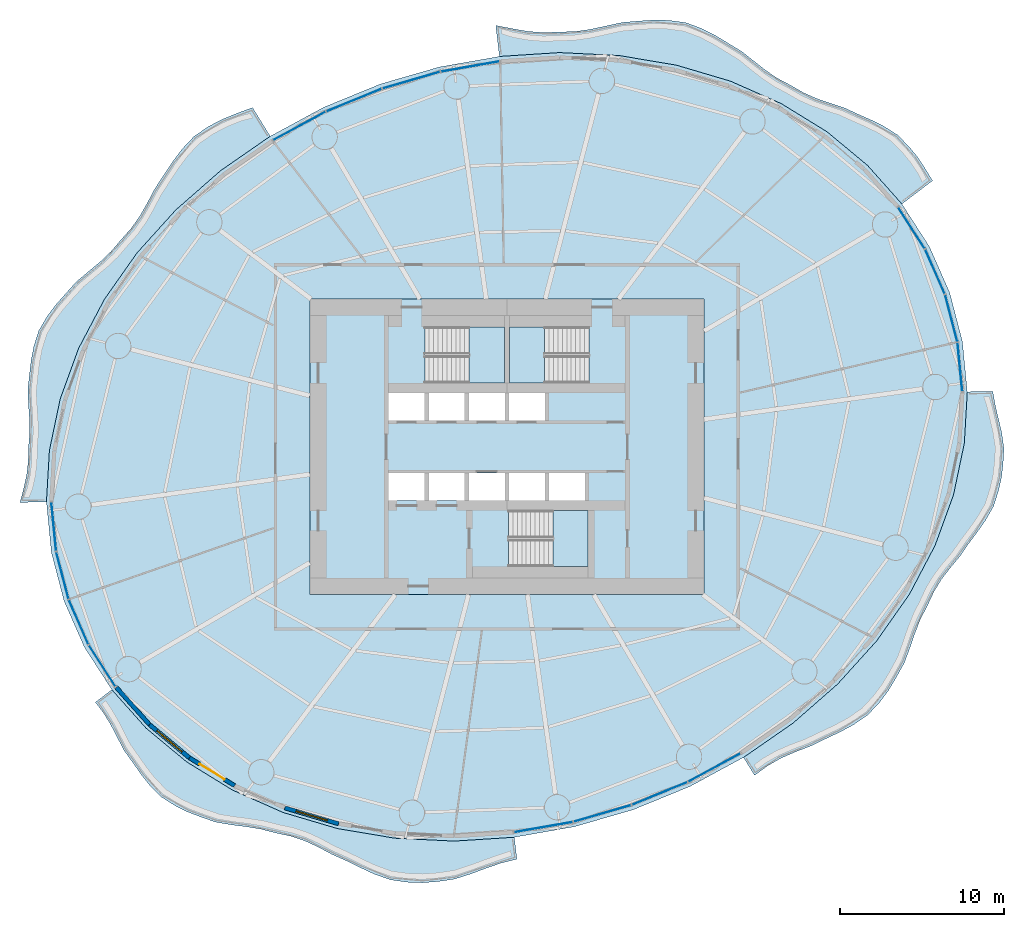
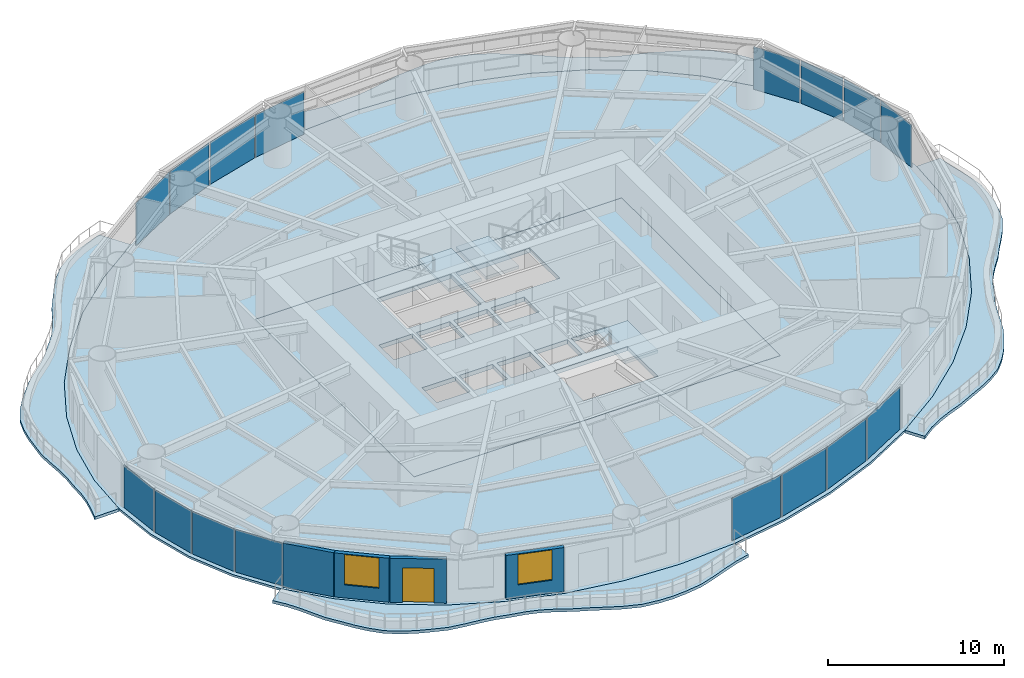
# One storey, part 7 of 16: 16 plates, 9 slabs, 4 walls, 2 windows, 1 door, 3 openings, 19 elements without a shape of their own.
"""IFC4 building model written with IfcOpenShell, lengths in metres."""

from ifc_helpers import new_model, si_unit, direction, frame, frame_2d, origin, origin_2d, place, context, subcontext, project, spatial, polyline, rectangle, outline, extrude, material, layer, layer_set, type_object, element, fill, aggregate, save


model = new_model("IFC4")

# Units and contexts
model_context = context("Model", 3, precision=1e-05, world=origin(), true_north=direction((0.0, 1.0)))
body_context = subcontext(model_context, "Body", "Model", "MODEL_VIEW")
ifc_project = project(units=[si_unit("LENGTHUNIT", "METRE"), si_unit("AREAUNIT", "SQUARE_METRE"), si_unit("VOLUMEUNIT", "CUBIC_METRE"), si_unit("PLANEANGLEUNIT", "RADIAN"), si_unit("MASSUNIT", "GRAM", prefix="KILO")], contexts=[model_context])

# Site, building, storey
site_placement = place(None, origin())
site = spatial("IfcSite", under=ifc_project, at=site_placement, CompositionType="ELEMENT")
building_placement = place(site_placement, origin())
building = spatial("IfcBuilding", under=site, at=building_placement, Name="Vermilion Reach Broadcast Tower", CompositionType="ELEMENT")
storey_placement = place(building_placement, frame((0.0, 0.0, 110.199951171875)))
storey = spatial("IfcBuildingStorey", under=building, at=storey_placement, Name="L25", CompositionType="ELEMENT", Elevation=110.199951171875)

# Slabs
ifc_material_1 = material(Name="Concrete C40/50", Category="concrete")
ifc_layer_1 = layer(ifc_material_1, 0.199951171875)
ifc_layer_set_1 = layer_set([ifc_layer_1], Name="Balcony slab 200")
slab_type_1 = type_object("IfcSlabType", Name="Balcony slab 200", PredefinedType="FLOOR", material=ifc_layer_set_1)
placement_1 = place(storey_placement, frame((0.0, 0.0, -0.199951171875)))
element("IfcSlab", 1, at=placement_1, inside=storey, type_object=slab_type_1, Name="Balcony slab L25 group 1", PredefinedType="FLOOR", context=body_context, shape_type="SweptSolid", body=[
    extrude(outline(polyline([(18.06396484375, 14.794921875), (15.97607421875, 17.137939453125), (13.512451171875, 19.187744140625), (10.71484375, 20.9091796875), (7.63134765625, 22.27294921875), (4.314453125, 23.25537109375), (0.8212890625, 23.840087890625), (-2.788818359375, 24.01708984375), (-6.45361328125, 23.782958984375), (-6.67919921875, 25.67431640625), (-5.6416015625, 25.471435546875), (-4.71142578125, 25.31201171875), (-3.78662109375, 25.2373046875), (-2.798095703125, 25.2724609375), (-1.821044921875, 25.30517578125), (-0.909912109375, 25.435546875), (0.00439453125, 25.6337890625), (1.03857421875, 25.8564453125), (2.0712890625, 25.94384765625), (2.978759765625, 26.0029296875), (3.873291015625, 25.9833984375), (4.911376953125, 25.840087890625), (5.8759765625, 25.4814453125), (6.66015625, 25.083984375), (7.425537109375, 24.623046875), (8.300537109375, 24.093994140625), (9.083984375, 23.473388671875), (9.767822265625, 22.935546875), (10.4775390625, 22.456298828125), (11.298828125, 22.02001953125), (12.08349609375, 21.56640625), (12.840576171875, 21.229736328125), (13.63525390625, 20.954345703125), (14.564453125, 20.652587890625), (15.4345703125, 20.2451171875), (16.198974609375, 19.9111328125), (16.938232421875, 19.546875), (17.78662109375, 19.0107421875), (18.47607421875, 18.314453125), (18.97607421875, 17.709228515625), (19.41796875, 17.05224609375), (19.931640625, 16.21630859375), (18.06396484375, 14.794921875)])), origin(), (0.0, 0.0, 1.0), 0.199951171875),
])
element("IfcSlab", 2, at=placement_1, inside=storey, type_object=slab_type_1, Name="Balcony slab L25 group 2", PredefinedType="FLOOR", context=body_context, shape_type="SweptSolid", body=[
    extrude(outline(polyline([(-20.417236328125, 18.920166015625), (-23.434814453125, 16.827392578125), (-26.154052734375, 14.4462890625), (-28.528564453125, 11.818359375), (-30.517578125, 8.988037109375), (-32.0869140625, 6.00390625), (-33.210205078125, 2.917236328125), (-33.86767578125, -0.2197265625), (-34.048583984375, -3.3525390625), (-35.6591796875, -3.38427734375), (-35.42236328125, -2.487548828125), (-35.25390625, -1.71142578125), (-35.1611328125, -0.930908203125), (-35.143798828125, -0.050048828125), (-35.0712890625, 0.851318359375), (-35.083740234375, 1.672607421875), (-35.14013671875, 2.503173828125), (-35.18408203125, 3.47998046875), (-35.075927734375, 4.469970703125), (-34.97802734375, 5.30810546875), (-34.816650390625, 6.123291015625), (-34.515869140625, 7.07861328125), (-33.998046875, 7.96142578125), (-33.486572265625, 8.644775390625), (-32.913818359375, 9.2958984375), (-32.243408203125, 10.042236328125), (-31.45751953125, 10.70556640625), (-30.7685546875, 11.278564453125), (-30.12890625, 11.885986328125), (-29.51416015625, 12.605224609375), (-28.875732421875, 13.325439453125), (-28.363525390625, 14.055908203125), (-27.9140625, 14.843017578125), (-27.434326171875, 15.746826171875), (-26.854736328125, 16.618408203125), (-26.3408203125, 17.403076171875), (-25.78662109375, 18.141845703125), (-25.06103515625, 18.910888671875), (-24.180908203125, 19.513916015625), (-23.361328125, 19.943115234375), (-22.490478515625, 20.298583984375), (-21.494140625, 20.6708984375), (-20.417236328125, 18.920166015625)])), origin(), (0.0, 0.0, 1.0), 0.199951171875),
])
element("IfcSlab", 3, at=placement_1, inside=storey, type_object=slab_type_1, Name="Balcony slab L25 group 3", PredefinedType="FLOOR", context=body_context, shape_type="SweptSolid", body=[
    extrude(outline(polyline([(-30.06396484375, -14.794921875), (-27.97607421875, -17.137939453125), (-25.512451171875, -19.187744140625), (-22.71484375, -20.9091796875), (-19.63134765625, -22.27294921875), (-16.314453125, -23.25537109375), (-12.8212890625, -23.840087890625), (-9.211181640625, -24.01708984375), (-5.54638671875, -23.782958984375), (-5.387451171875, -25.115966796875), (-6.365478515625, -25.361572265625), (-7.265625, -25.669677734375), (-8.164306640625, -26.005859375), (-9.194091796875, -26.334228515625), (-10.23681640625, -26.485107421875), (-11.14501953125, -26.555908203125), (-12.0478515625, -26.5224609375), (-13.0947265625, -26.375732421875), (-14.084716796875, -26.025146484375), (-14.91796875, -25.63916015625), (-15.746826171875, -25.228271484375), (-16.6748046875, -24.8154296875), (-17.541259765625, -24.35205078125), (-18.336181640625, -23.990478515625), (-19.157958984375, -23.7197265625), (-20.089111328125, -23.5185546875), (-21.00048828125, -23.284912109375), (-21.859619140625, -23.14306640625), (-22.732177734375, -23.0322265625), (-23.7412109375, -22.861328125), (-24.67919921875, -22.534423828125), (-25.459716796875, -22.235595703125), (-26.19873046875, -21.869873046875), (-27.051513671875, -21.330810546875), (-27.75048828125, -20.625), (-28.260009765625, -19.984619140625), (-28.737060546875, -19.30517578125), (-29.307861328125, -18.515625), (-29.751220703125, -17.668701171875), (-30.123291015625, -16.949462890625), (-30.5361328125, -16.2666015625), (-31.0673828125, -15.55859375), (-30.06396484375, -14.794921875)])), origin(), (0.0, 0.0, 1.0), 0.199951171875),
])
element("IfcSlab", 4, at=placement_1, inside=storey, type_object=slab_type_1, Name="Balcony slab L25 group 4", PredefinedType="FLOOR", context=body_context, shape_type="SweptSolid", body=[
    extrude(outline(polyline([(8.417236328125, -18.920166015625), (11.434814453125, -16.827392578125), (14.154052734375, -14.4462890625), (16.528564453125, -11.818359375), (18.517578125, -8.988037109375), (20.0869140625, -6.00390625), (21.210205078125, -2.917236328125), (21.86767578125, 0.2197265625), (22.048583984375, 3.3525390625), (23.600830078125, 3.383056640625), (23.76416015625, 2.4677734375), (23.955810546875, 1.6708984375), (24.1416015625, 0.874267578125), (24.2841796875, -0.1015625), (24.224609375, -1.093017578125), (24.128173828125, -1.8916015625), (23.94921875, -2.672607421875), (23.652587890625, -3.61376953125), (23.14794921875, -4.49609375), (22.65576171875, -5.19091796875), (22.1416015625, -5.877685546875), (21.5966796875, -6.671875), (20.969482421875, -7.42041015625), (20.45458984375, -8.10205078125), (20.016357421875, -8.823974609375), (19.622314453125, -9.662841796875), (19.187255859375, -10.515625), (18.860107421875, -11.3427734375), (18.5693359375, -12.195556640625), (18.21044921875, -13.160888671875), (17.70556640625, -14.0751953125), (17.2412109375, -14.848876953125), (16.7099609375, -15.562255859375), (15.999755859375, -16.321044921875), (15.124267578125, -16.92626953125), (14.308349609375, -17.365966796875), (13.457275390625, -17.765625), (12.5224609375, -18.220703125), (11.54443359375, -18.596435546875), (10.6875, -18.971923828125), (9.885986328125, -19.427001953125), (9.08935546875, -20.012939453125), (8.417236328125, -18.920166015625)])), origin(), (0.0, 0.0, 1.0), 0.199951171875),
])
ifc_material_2 = material(Name="Concrete C40", Category="concrete")
ifc_layer_2 = layer(ifc_material_2, 0.300048828125)
ifc_layer_set_2 = layer_set([ifc_layer_2], Name="Core floor slab 300 mm Concrete C40")
slab_type_2 = type_object("IfcSlabType", Name="Core floor slab 300 mm Concrete C40", PredefinedType="FLOOR", material=ifc_layer_set_2)
slab_5_placement = place(storey_placement, frame((0.0, 0.0, -0.300048828125)))
element("IfcSlab", 5, at=slab_5_placement, inside=storey, type_object=slab_type_2, Name="L25 core floor", PredefinedType="FLOOR", context=body_context, shape_type="SweptSolid", body=[
    extrude(outline(polyline([(-18.0, -9.0), (6.0, -9.0), (6.0, 9.0), (-18.0, 9.0), (-18.0, -9.0)]), holes=[polyline([(-13.199951171875, 1.60009765625), (-11.00830078125, 1.60009765625), (-11.00830078125, 3.280029296875), (-13.199951171875, 3.280029296875), (-13.199951171875, 1.60009765625)]), polyline([(-10.75830078125, 1.60009765625), (-8.566650390625, 1.60009765625), (-8.566650390625, 3.280029296875), (-10.75830078125, 3.280029296875), (-10.75830078125, 1.60009765625)]), polyline([(-8.316650390625, 1.60009765625), (-6.125, 1.60009765625), (-6.125, 3.280029296875), (-8.316650390625, 3.280029296875), (-8.316650390625, 1.60009765625)]), polyline([(-5.875, 1.60009765625), (-3.683349609375, 1.60009765625), (-3.683349609375, 3.280029296875), (-5.875, 3.280029296875), (-5.875, 1.60009765625)]), polyline([(-13.199951171875, -3.280029296875), (-11.00830078125, -3.280029296875), (-11.00830078125, -1.60009765625), (-13.199951171875, -1.60009765625), (-13.199951171875, -3.280029296875)]), polyline([(-10.75830078125, -3.280029296875), (-8.566650390625, -3.280029296875), (-8.566650390625, -1.60009765625), (-10.75830078125, -1.60009765625), (-10.75830078125, -3.280029296875)]), polyline([(-8.316650390625, -3.280029296875), (-6.125, -3.280029296875), (-6.125, -1.60009765625), (-8.316650390625, -1.60009765625), (-8.316650390625, -3.280029296875)]), polyline([(-5.875, -3.280029296875), (-3.683349609375, -3.280029296875), (-3.683349609375, -1.60009765625), (-5.875, -1.60009765625), (-5.875, -3.280029296875)]), polyline([(-3.433349609375, -3.280029296875), (-1.24169921875, -3.280029296875), (-1.24169921875, -1.60009765625), (-3.433349609375, -1.60009765625), (-3.433349609375, -3.280029296875)]), polyline([(-10.999267578125, 3.8798828125), (-6.14990234375, 3.8798828125), (-6.14990234375, 7.300048828125), (-10.999267578125, 7.300048828125), (-10.999267578125, 3.8798828125)]), polyline([(-1.000732421875, 7.300048828125), (-5.85009765625, 7.300048828125), (-5.85009765625, 3.8798828125), (-1.000732421875, 3.8798828125), (-1.000732421875, 7.300048828125)]), polyline([(-5.8994140625, -7.300048828125), (-1.050048828125, -7.300048828125), (-1.050048828125, -3.8798828125), (-5.8994140625, -3.8798828125), (-5.8994140625, -7.300048828125)])]), origin(), (0.0, 0.0, 1.0), 0.300048828125),
])

# Stair, slab
ifc_material_3 = material(Name="Concrete C40", Category="concrete")
stair_type = type_object("IfcStairType", Name="Exit stair RC 22 risers 164 mm", PredefinedType="HALF_TURN_STAIR", material=ifc_material_3)
placement_2 = place(storey_placement, origin())
stair_1 = element("IfcStair", 6, at=placement_2, inside=storey, type_object=stair_type, Name="L25 Exit stair ST1", PredefinedType="HALF_TURN_STAIR")
ifc_material_4 = material(Name="Concrete C40", Category="concrete")
ifc_layer_3 = layer(ifc_material_4, 0.199951171875)
ifc_layer_set_3 = layer_set([ifc_layer_3], Name="Exit stair landing Concrete C40")
slab_type_3 = type_object("IfcSlabType", Name="Exit stair landing Concrete C40", PredefinedType="LANDING", material=ifc_layer_set_3)
placement_3 = place(storey_placement, frame((0.0, 0.0, 1.60009765625)))
slab_6 = element("IfcSlab", 7, at=placement_3, type_object=slab_type_3, Name="ST1 landing 1", PredefinedType="LANDING", context=body_context, shape_type="SweptSolid", body=[
    extrude(outline(polyline([(-8.300048828125, 3.8798828125), (-6.14990234375, 3.8798828125), (-6.14990234375, 7.300048828125), (-8.300048828125, 7.300048828125), (-8.300048828125, 3.8798828125)])), origin(), (0.0, 0.0, 1.0), 0.199951171875),
])
aggregate(stair_1, [slab_6])

stair_2 = element("IfcStair", 8, at=placement_2, inside=storey, type_object=stair_type, Name="L25 Exit stair ST2", PredefinedType="HALF_TURN_STAIR")
slab_7 = element("IfcSlab", 9, at=placement_3, type_object=slab_type_3, Name="ST2 landing 1", PredefinedType="LANDING", context=body_context, shape_type="SweptSolid", body=[
    extrude(outline(polyline([(-3.699951171875, 7.300048828125), (-5.85009765625, 7.300048828125), (-5.85009765625, 3.8798828125), (-3.699951171875, 3.8798828125), (-3.699951171875, 7.300048828125)])), origin(), (0.0, 0.0, 1.0), 0.199951171875),
])
aggregate(stair_2, [slab_7])

stair_3 = element("IfcStair", 10, at=placement_2, inside=storey, type_object=stair_type, Name="L25 Exit stair ST3", PredefinedType="HALF_TURN_STAIR")
slab_8 = element("IfcSlab", 11, at=placement_3, type_object=slab_type_3, Name="ST3 landing 1", PredefinedType="LANDING", context=body_context, shape_type="SweptSolid", body=[
    extrude(outline(polyline([(-3.199951171875, -7.300048828125), (-1.050048828125, -7.300048828125), (-1.050048828125, -3.8798828125), (-3.199951171875, -3.8798828125), (-3.199951171875, -7.300048828125)])), origin(), (0.0, 0.0, 1.0), 0.199951171875),
])
aggregate(stair_3, [slab_8])

# Slab
ifc_material_5 = material(Name="Concrete C40", Category="concrete")
ifc_layer_4 = layer(ifc_material_5, 0.14990234375)
ifc_layer_set_4 = layer_set([ifc_layer_4], Name="Floor slab Concrete C40 composite 150")
slab_type_4 = type_object("IfcSlabType", Name="Floor slab Concrete C40 composite 150", PredefinedType="FLOOR", material=ifc_layer_set_4)
slab_9_placement = place(storey_placement, frame((0.0, 0.0, -0.14990234375)))
element("IfcSlab", 12, at=slab_9_placement, inside=storey, type_object=slab_type_4, Name="Floor slab L25", PredefinedType="FLOOR", context=body_context, shape_type="SweptSolid", body=[
    extrude(outline(polyline([(20.975341796875, 9.393798828125), (19.73974609375, 12.19873046875), (18.06396484375, 14.794921875), (15.97607421875, 17.137939453125), (13.512451171875, 19.187744140625), (10.71484375, 20.9091796875), (7.63134765625, 22.27294921875), (4.314453125, 23.25537109375), (0.8212890625, 23.840087890625), (-2.788818359375, 24.01708984375), (-6.45361328125, 23.782958984375), (-10.11083984375, 23.141845703125), (-13.69775390625, 22.104736328125), (-17.15283203125, 20.689453125), (-20.417236328125, 18.920166015625), (-23.434814453125, 16.827392578125), (-26.154052734375, 14.4462890625), (-28.528564453125, 11.818359375), (-30.517578125, 8.988037109375), (-32.0869140625, 6.00390625), (-33.210205078125, 2.917236328125), (-33.86767578125, -0.2197265625), (-34.048583984375, -3.3525390625), (-33.749267578125, -6.42822265625), (-32.975341796875, -9.393798828125), (-31.73974609375, -12.19873046875), (-30.06396484375, -14.794921875), (-27.97607421875, -17.137939453125), (-25.512451171875, -19.187744140625), (-22.71484375, -20.9091796875), (-19.63134765625, -22.27294921875), (-16.314453125, -23.25537109375), (-12.8212890625, -23.840087890625), (-9.211181640625, -24.01708984375), (-5.54638671875, -23.782958984375), (-1.88916015625, -23.141845703125), (1.69775390625, -22.104736328125), (5.15283203125, -20.689453125), (8.417236328125, -18.920166015625), (11.434814453125, -16.827392578125), (14.154052734375, -14.4462890625), (16.528564453125, -11.818359375), (18.517578125, -8.988037109375), (20.0869140625, -6.00390625), (21.210205078125, -2.917236328125), (21.86767578125, 0.2197265625), (22.048583984375, 3.3525390625), (21.749267578125, 6.42822265625), (20.975341796875, 9.393798828125)]), holes=[polyline([(-18.0, -9.0), (6.0, -9.0), (6.0, 9.0), (-18.0, 9.0), (-18.0, -9.0)])]), origin(), (0.0, 0.0, 1.0), 0.14990234375),
])

# Curtain wall, plate
ifc_material_6 = material(Name="Low-e laminated clear glass in aluminium frame", Category="aluminium")
curtain_wall_type = type_object("IfcCurtainWallType", Name="Slot curtain wall", PredefinedType="NOTDEFINED", material=ifc_material_6)
curtain_wall_1 = element("IfcCurtainWall", 13, at=placement_2, inside=storey, type_object=curtain_wall_type, Name="Slot curtain wall L25 46", PredefinedType="NOTDEFINED")
ifc_material_7 = material(Name="Low-e laminated clear glass", Category="glass")
ifc_layer_5 = layer(ifc_material_7, 0.028076171875)
ifc_layer_set_5 = layer_set([ifc_layer_5], Name="Slot glass panel")
plate_type = type_object("IfcPlateType", Name="Slot glass panel", PredefinedType="CURTAIN_PANEL", material=ifc_layer_set_5)
plate_1_placement = place(storey_placement, frame((21.601318359375, 4.861328125, 0.0), z_axis=(0.0, 0.0, 1.0), x_axis=(-0.096809495476, 0.995302929557, 0.0)))
plate_1 = element("IfcPlate", 14, at=plate_1_placement, type_object=plate_type, Name="Slot glass panel L25 46", PredefinedType="CURTAIN_PANEL", context=body_context, shape_type="SweptSolid", body=[
    extrude(rectangle(XDim=2.963134765625, YDim=0.028076171875, at=origin_2d()), origin(), (0.0, 0.0, 1.0), 2.949951171875),
])
aggregate(curtain_wall_1, [plate_1])

curtain_wall_2 = element("IfcCurtainWall", 15, at=placement_2, inside=storey, type_object=curtain_wall_type, Name="Slot curtain wall L25 47", PredefinedType="NOTDEFINED")
plate_2_placement = place(storey_placement, frame((21.072998046875, 7.83544921875, 0.0), z_axis=(0.0, 0.0, 1.0), x_axis=(-0.252521614581, 0.967591253665, 0.0)))
plate_2 = element("IfcPlate", 16, at=plate_2_placement, type_object=plate_type, Name="Slot glass panel L25 47", PredefinedType="CURTAIN_PANEL", context=body_context, shape_type="SweptSolid", body=[
    extrude(rectangle(XDim=2.937255859375, YDim=0.028076171875, at=origin_2d()), origin(), (0.0, 0.0, 1.0), 2.949951171875),
])
aggregate(curtain_wall_2, [plate_2])

curtain_wall_3 = element("IfcCurtainWall", 17, at=placement_2, inside=storey, type_object=curtain_wall_type, Name="Slot curtain wall L25 00", PredefinedType="NOTDEFINED")
plate_3_placement = place(storey_placement, frame((20.083984375, 10.67578125, 0.0), z_axis=(0.0, 0.0, 1.0), x_axis=(-0.403117538268, 0.915148212226, 0.0)))
plate_3 = element("IfcPlate", 18, at=plate_3_placement, type_object=plate_type, Name="Slot glass panel L25 00", PredefinedType="CURTAIN_PANEL", context=body_context, shape_type="SweptSolid", body=[
    extrude(rectangle(XDim=2.937255859375, YDim=0.028076171875, at=origin_2d()), origin(), (0.0, 0.0, 1.0), 2.949951171875),
])
aggregate(curtain_wall_3, [plate_3])

curtain_wall_4 = element("IfcCurtainWall", 19, at=placement_2, inside=storey, type_object=curtain_wall_type, Name="Slot curtain wall L25 01", PredefinedType="NOTDEFINED")
plate_4_placement = place(storey_placement, frame((18.650390625, 13.334716796875, 0.0), z_axis=(0.0, 0.0, 1.0), x_axis=(-0.542361332382, 0.840145335723, 0.0)))
plate_4 = element("IfcPlate", 20, at=plate_4_placement, type_object=plate_type, Name="Slot glass panel L25 01", PredefinedType="CURTAIN_PANEL", context=body_context, shape_type="SweptSolid", body=[
    extrude(rectangle(XDim=2.963134765625, YDim=0.028076171875, at=origin_2d()), origin(), (0.0, 0.0, 1.0), 2.949951171875),
])
aggregate(curtain_wall_4, [plate_4])

curtain_wall_5 = element("IfcCurtainWall", 21, at=placement_2, inside=storey, type_object=curtain_wall_type, Name="Slot curtain wall L25 10", PredefinedType="NOTDEFINED")
plate_5_placement = place(storey_placement, frame((-8.230712890625, 23.167236328125, 0.0), z_axis=(0.0, 0.0, 1.0), x_axis=(-0.984981669189, -0.172658945209, 0.0)))
plate_5 = element("IfcPlate", 22, at=plate_5_placement, type_object=plate_type, Name="Slot glass panel L25 10", PredefinedType="CURTAIN_PANEL", context=body_context, shape_type="SweptSolid", body=[
    extrude(rectangle(XDim=3.600341796875, YDim=0.028076171875, at=origin_2d()), origin(), (0.0, 0.0, 1.0), 2.949951171875),
])
aggregate(curtain_wall_5, [plate_5])

curtain_wall_6 = element("IfcCurtainWall", 23, at=placement_2, inside=storey, type_object=curtain_wall_type, Name="Slot curtain wall L25 11", PredefinedType="NOTDEFINED")
plate_6_placement = place(storey_placement, frame((-11.821044921875, 22.33544921875, 0.0), z_axis=(0.0, 0.0, 1.0), x_axis=(-0.9606547598, -0.27774526544, 0.0)))
plate_6 = element("IfcPlate", 24, at=plate_6_placement, type_object=plate_type, Name="Slot glass panel L25 11", PredefinedType="CURTAIN_PANEL", context=body_context, shape_type="SweptSolid", body=[
    extrude(rectangle(XDim=3.62158203125, YDim=0.028076171875, at=origin_2d()), origin(), (0.0, 0.0, 1.0), 2.949951171875),
])
aggregate(curtain_wall_6, [plate_6])

curtain_wall_7 = element("IfcCurtainWall", 25, at=placement_2, inside=storey, type_object=curtain_wall_type, Name="Slot curtain wall L25 12", PredefinedType="NOTDEFINED")
plate_7_placement = place(storey_placement, frame((-15.311767578125, 21.119873046875, 0.0), z_axis=(0.0, 0.0, 1.0), x_axis=(-0.92537970825, -0.379041416679, 0.0)))
plate_7 = element("IfcPlate", 26, at=plate_7_placement, type_object=plate_type, Name="Slot glass panel L25 12", PredefinedType="CURTAIN_PANEL", context=body_context, shape_type="SweptSolid", body=[
    extrude(rectangle(XDim=3.62158203125, YDim=0.028076171875, at=origin_2d()), origin(), (0.0, 0.0, 1.0), 2.949951171875),
])
aggregate(curtain_wall_7, [plate_7])

curtain_wall_8 = element("IfcCurtainWall", 27, at=placement_2, inside=storey, type_object=curtain_wall_type, Name="Slot curtain wall L25 13", PredefinedType="NOTDEFINED")
plate_8_placement = place(storey_placement, frame((-18.64208984375, 19.54150390625, 0.0), z_axis=(0.0, 0.0, 1.0), x_axis=(-0.879170418367, -0.476507476823, 0.0)))
plate_8 = element("IfcPlate", 28, at=plate_8_placement, type_object=plate_type, Name="Slot glass panel L25 13", PredefinedType="CURTAIN_PANEL", context=body_context, shape_type="SweptSolid", body=[
    extrude(rectangle(XDim=3.600341796875, YDim=0.028076171875, at=origin_2d()), origin(), (0.0, 0.0, 1.0), 2.949951171875),
])
aggregate(curtain_wall_8, [plate_8])

curtain_wall_9 = element("IfcCurtainWall", 29, at=placement_2, inside=storey, type_object=curtain_wall_type, Name="Slot curtain wall L25 22", PredefinedType="NOTDEFINED")
plate_9_placement = place(storey_placement, frame((-33.601318359375, -4.861328125, 0.0), z_axis=(0.0, 0.0, 1.0), x_axis=(0.096809495476, -0.995302929557, 0.0)))
plate_9 = element("IfcPlate", 30, at=plate_9_placement, type_object=plate_type, Name="Slot glass panel L25 22", PredefinedType="CURTAIN_PANEL", context=body_context, shape_type="SweptSolid", body=[
    extrude(rectangle(XDim=2.963134765625, YDim=0.028076171875, at=origin_2d()), origin(), (0.0, 0.0, 1.0), 2.949951171875),
])
aggregate(curtain_wall_9, [plate_9])

curtain_wall_10 = element("IfcCurtainWall", 31, at=placement_2, inside=storey, type_object=curtain_wall_type, Name="Slot curtain wall L25 23", PredefinedType="NOTDEFINED")
plate_10_placement = place(storey_placement, frame((-33.072998046875, -7.83544921875, 0.0), z_axis=(0.0, 0.0, 1.0), x_axis=(0.252521614581, -0.967591253665, 0.0)))
plate_10 = element("IfcPlate", 32, at=plate_10_placement, type_object=plate_type, Name="Slot glass panel L25 23", PredefinedType="CURTAIN_PANEL", context=body_context, shape_type="SweptSolid", body=[
    extrude(rectangle(XDim=2.937255859375, YDim=0.028076171875, at=origin_2d()), origin(), (0.0, 0.0, 1.0), 2.949951171875),
])
aggregate(curtain_wall_10, [plate_10])

curtain_wall_11 = element("IfcCurtainWall", 33, at=placement_2, inside=storey, type_object=curtain_wall_type, Name="Slot curtain wall L25 24", PredefinedType="NOTDEFINED")
plate_11_placement = place(storey_placement, frame((-32.083984375, -10.67578125, 0.0), z_axis=(0.0, 0.0, 1.0), x_axis=(0.403117538268, -0.915148212226, 0.0)))
plate_11 = element("IfcPlate", 34, at=plate_11_placement, type_object=plate_type, Name="Slot glass panel L25 24", PredefinedType="CURTAIN_PANEL", context=body_context, shape_type="SweptSolid", body=[
    extrude(rectangle(XDim=2.937255859375, YDim=0.028076171875, at=origin_2d()), origin(), (0.0, 0.0, 1.0), 2.949951171875),
])
aggregate(curtain_wall_11, [plate_11])

curtain_wall_12 = element("IfcCurtainWall", 35, at=placement_2, inside=storey, type_object=curtain_wall_type, Name="Slot curtain wall L25 25", PredefinedType="NOTDEFINED")
plate_12_placement = place(storey_placement, frame((-30.650390625, -13.334716796875, 0.0), z_axis=(0.0, 0.0, 1.0), x_axis=(0.542361332382, -0.840145335723, 0.0)))
plate_12 = element("IfcPlate", 36, at=plate_12_placement, type_object=plate_type, Name="Slot glass panel L25 25", PredefinedType="CURTAIN_PANEL", context=body_context, shape_type="SweptSolid", body=[
    extrude(rectangle(XDim=2.963134765625, YDim=0.028076171875, at=origin_2d()), origin(), (0.0, 0.0, 1.0), 2.949951171875),
])
aggregate(curtain_wall_12, [plate_12])

curtain_wall_13 = element("IfcCurtainWall", 37, at=placement_2, inside=storey, type_object=curtain_wall_type, Name="Slot curtain wall L25 34", PredefinedType="NOTDEFINED")
plate_13_placement = place(storey_placement, frame((-3.769287109375, -23.167236328125, 0.0), z_axis=(0.0, 0.0, 1.0), x_axis=(0.984981669189, 0.172658945209, 0.0)))
plate_13 = element("IfcPlate", 38, at=plate_13_placement, type_object=plate_type, Name="Slot glass panel L25 34", PredefinedType="CURTAIN_PANEL", context=body_context, shape_type="SweptSolid", body=[
    extrude(rectangle(XDim=3.600341796875, YDim=0.028076171875, at=origin_2d()), origin(), (0.0, 0.0, 1.0), 2.949951171875),
])
aggregate(curtain_wall_13, [plate_13])

curtain_wall_14 = element("IfcCurtainWall", 39, at=placement_2, inside=storey, type_object=curtain_wall_type, Name="Slot curtain wall L25 35", PredefinedType="NOTDEFINED")
plate_14_placement = place(storey_placement, frame((-0.178955078125, -22.33544921875, 0.0), z_axis=(0.0, 0.0, 1.0), x_axis=(0.9606547598, 0.27774526544, 0.0)))
plate_14 = element("IfcPlate", 40, at=plate_14_placement, type_object=plate_type, Name="Slot glass panel L25 35", PredefinedType="CURTAIN_PANEL", context=body_context, shape_type="SweptSolid", body=[
    extrude(rectangle(XDim=3.62158203125, YDim=0.028076171875, at=origin_2d()), origin(), (0.0, 0.0, 1.0), 2.949951171875),
])
aggregate(curtain_wall_14, [plate_14])

curtain_wall_15 = element("IfcCurtainWall", 41, at=placement_2, inside=storey, type_object=curtain_wall_type, Name="Slot curtain wall L25 36", PredefinedType="NOTDEFINED")
plate_15_placement = place(storey_placement, frame((3.311767578125, -21.119873046875, 0.0), z_axis=(0.0, 0.0, 1.0), x_axis=(0.92537970825, 0.379041416679, 0.0)))
plate_15 = element("IfcPlate", 42, at=plate_15_placement, type_object=plate_type, Name="Slot glass panel L25 36", PredefinedType="CURTAIN_PANEL", context=body_context, shape_type="SweptSolid", body=[
    extrude(rectangle(XDim=3.62158203125, YDim=0.028076171875, at=origin_2d()), origin(), (0.0, 0.0, 1.0), 2.949951171875),
])
aggregate(curtain_wall_15, [plate_15])

curtain_wall_16 = element("IfcCurtainWall", 43, at=placement_2, inside=storey, type_object=curtain_wall_type, Name="Slot curtain wall L25 37", PredefinedType="NOTDEFINED")
plate_16_placement = place(storey_placement, frame((6.64208984375, -19.54150390625, 0.0), z_axis=(0.0, 0.0, 1.0), x_axis=(0.879170418367, 0.476507476823, 0.0)))
plate_16 = element("IfcPlate", 44, at=plate_16_placement, type_object=plate_type, Name="Slot glass panel L25 37", PredefinedType="CURTAIN_PANEL", context=body_context, shape_type="SweptSolid", body=[
    extrude(rectangle(XDim=3.600341796875, YDim=0.028076171875, at=origin_2d()), origin(), (0.0, 0.0, 1.0), 2.949951171875),
])
aggregate(curtain_wall_16, [plate_16])

# Wall
ifc_material_8 = material(Name="Terracotta rainscreen cladding", Category="masonry")
ifc_layer_6 = layer(ifc_material_8, 0.25)
ifc_layer_set_6 = layer_set([ifc_layer_6], Name="Terracotta rainscreen wall 250")
wall_type = type_object("IfcWallType", Name="Terracotta rainscreen wall 250", PredefinedType="SOLIDWALL", material=ifc_layer_set_6)
wall_1_placement = place(storey_placement, frame((-29.78857421875, -14.654052734375, 0.0), z_axis=(0.0, 0.0, 1.0), x_axis=(0.665250226688, -0.746620476475, 0.0)))
element("IfcWall", 45, at=wall_1_placement, inside=storey, type_object=wall_type, Name="External wall L25 26", PredefinedType="SOLIDWALL", context=body_context, shape_type="SweptSolid", body=[
    extrude(rectangle(XDim=3.0244140625, YDim=0.25, at=frame_2d((1.51220703125, 0.0))), origin(), (0.0, 0.0, 1.0), 3.050048828125),
])

# Wall, opening, window
wall_2_placement = place(storey_placement, frame((-27.757568359375, -16.930419921875, 0.0), z_axis=(0.0, 0.0, 1.0), x_axis=(0.768712564722, -0.639594397129, 0.0)))
wall_2 = element("IfcWall", 46, at=wall_2_placement, inside=storey, type_object=wall_type, Name="External wall L25 27", PredefinedType="SOLIDWALL", context=body_context, shape_type="SweptSolid", body=[
    extrude(rectangle(XDim=3.135009765625, YDim=0.25, at=frame_2d((1.5673828125, 0.0))), origin(), (0.0, 0.0, 1.0), 3.050048828125),
])
opening_1_placement = place(wall_2_placement, frame((0.5673828125, 0.0, 0.89990234375)))
opening_1 = element("IfcOpeningElement", 47, at=opening_1_placement, cuts=wall_2, Name="Opening W03", PredefinedType="OPENING", context=body_context, shape_type="SweptSolid", body=[
    extrude(rectangle(XDim=2.0, YDim=2.10009765625, at=frame_2d((1.0, 1.050048828125))), frame((0.0, 0.135009765625, 0.0), z_axis=(0.0, -1.0, 0.0), x_axis=(1.0, 0.0, 0.0)), (0.0, 0.0, 1.0), 0.27001953125),
])
ifc_material_9 = material(Name="Low-e laminated clear glass in aluminium frame", Category="aluminium")
window_type = type_object("IfcWindowType", Name="Punched window 2000 x 2100 sill 900", PartitioningType="SINGLE_PANEL", PredefinedType="WINDOW", material=ifc_material_9)
window_1_placement = place(opening_1_placement, origin())
window_1 = element("IfcWindow", 48, at=window_1_placement, inside=storey, type_object=window_type, Name="Window L25 27", OverallHeight=2.10009765625, OverallWidth=2.0, PartitioningType="SINGLE_PANEL", PredefinedType="WINDOW", context=body_context, shape_type="SweptSolid", body=[
    extrude(rectangle(XDim=2.0, YDim=2.10009765625, at=frame_2d((1.0, 1.050048828125))), frame((0.0, 0.030029296875, 0.0), z_axis=(0.0, -1.0, 0.0), x_axis=(1.0, 0.0, 0.0)), (0.0, 0.0, 1.0), 0.06005859375),
])
fill(opening_1, window_1)

# Wall, opening, door
wall_3_placement = place(storey_placement, frame((-25.32666015625, -18.95068359375, 0.0), z_axis=(0.0, 0.0, 1.0), x_axis=(0.851681761788, -0.524059325494, 0.0)))
wall_3 = element("IfcWall", 49, at=wall_3_placement, inside=storey, type_object=wall_type, Name="External wall L25 28", PredefinedType="SOLIDWALL", context=body_context, shape_type="SweptSolid", body=[
    extrude(rectangle(XDim=3.2177734375, YDim=0.25, at=frame_2d((1.60888671875, 0.0))), origin(), (0.0, 0.0, 1.0), 3.050048828125),
])
opening_2_placement = place(wall_3_placement, frame((0.708984375, 0.0, 0.0)))
opening_2 = element("IfcOpeningElement", 50, at=opening_2_placement, cuts=wall_3, Name="Opening D70", PredefinedType="OPENING", context=body_context, shape_type="SweptSolid", body=[
    extrude(rectangle(XDim=1.800048828125, YDim=2.39990234375, at=frame_2d((0.89990234375, 1.199951171875))), frame((0.0, 0.135009765625, 0.0), z_axis=(0.0, -1.0, 0.0), x_axis=(1.0, 0.0, 0.0)), (0.0, 0.0, 1.0), 0.27001953125),
])
ifc_material_10 = material(Name="Low-e laminated clear glass in aluminium frame", Category="aluminium")
door_type = type_object("IfcDoorType", Name="Balcony sliding door 1800 x 2400", OperationType="DOUBLE_DOOR_SLIDING", PredefinedType="DOOR", material=ifc_material_10)
door_placement = place(opening_2_placement, origin())
door = element("IfcDoor", 51, at=door_placement, inside=storey, type_object=door_type, Name="Balcony door L25 run 07", OperationType="DOUBLE_DOOR_SLIDING", OverallHeight=2.39990234375, OverallWidth=1.800048828125, PredefinedType="DOOR", context=body_context, shape_type="SweptSolid", body=[
    extrude(rectangle(XDim=1.800048828125, YDim=2.39990234375, at=frame_2d((0.89990234375, 1.199951171875))), frame((0.0, 0.02490234375, 0.0), z_axis=(0.0, -1.0, 0.0), x_axis=(1.0, 0.0, 0.0)), (0.0, 0.0, 1.0), 0.050048828125),
])
fill(opening_2, door)

# Wall, opening, window
wall_4_placement = place(storey_placement, frame((-19.5166015625, -21.99462890625, 0.0), z_axis=(0.0, 0.0, 1.0), x_axis=(0.958824925222, -0.283997821775, 0.0)))
wall_4 = element("IfcWall", 52, at=wall_4_placement, inside=storey, type_object=wall_type, Name="External wall L25 30", PredefinedType="SOLIDWALL", context=body_context, shape_type="SweptSolid", body=[
    extrude(rectangle(XDim=3.398193359375, YDim=0.25, at=frame_2d((1.69921875, 0.0))), origin(), (0.0, 0.0, 1.0), 3.050048828125),
])
opening_3_placement = place(wall_4_placement, frame((0.698974609375, 0.0, 0.89990234375)))
opening_3 = element("IfcOpeningElement", 53, at=opening_3_placement, cuts=wall_4, Name="Opening W03", PredefinedType="OPENING", context=body_context, shape_type="SweptSolid", body=[
    extrude(rectangle(XDim=2.0, YDim=2.10009765625, at=frame_2d((1.0, 1.050048828125))), frame((0.0, 0.135009765625, 0.0), z_axis=(0.0, -1.0, 0.0), x_axis=(1.0, 0.0, 0.0)), (0.0, 0.0, 1.0), 0.27001953125),
])
window_2_placement = place(opening_3_placement, origin())
window_2 = element("IfcWindow", 54, at=window_2_placement, inside=storey, type_object=window_type, Name="Window L25 30", OverallHeight=2.10009765625, OverallWidth=2.0, PartitioningType="SINGLE_PANEL", PredefinedType="WINDOW", context=body_context, shape_type="SweptSolid", body=[
    extrude(rectangle(XDim=2.0, YDim=2.10009765625, at=frame_2d((1.0, 1.050048828125))), frame((0.0, 0.030029296875, 0.0), z_axis=(0.0, -1.0, 0.0), x_axis=(1.0, 0.0, 0.0)), (0.0, 0.0, 1.0), 0.06005859375),
])
fill(opening_3, window_2)

save(model, "model.ifc")
